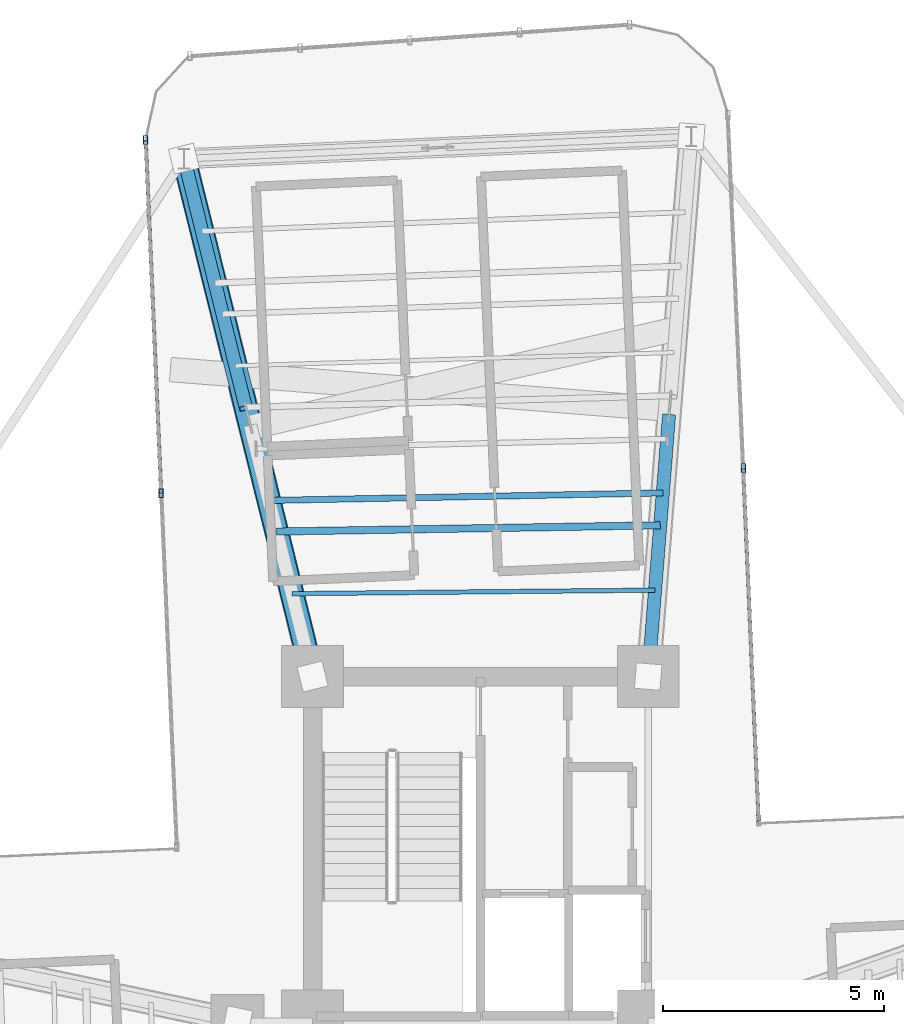
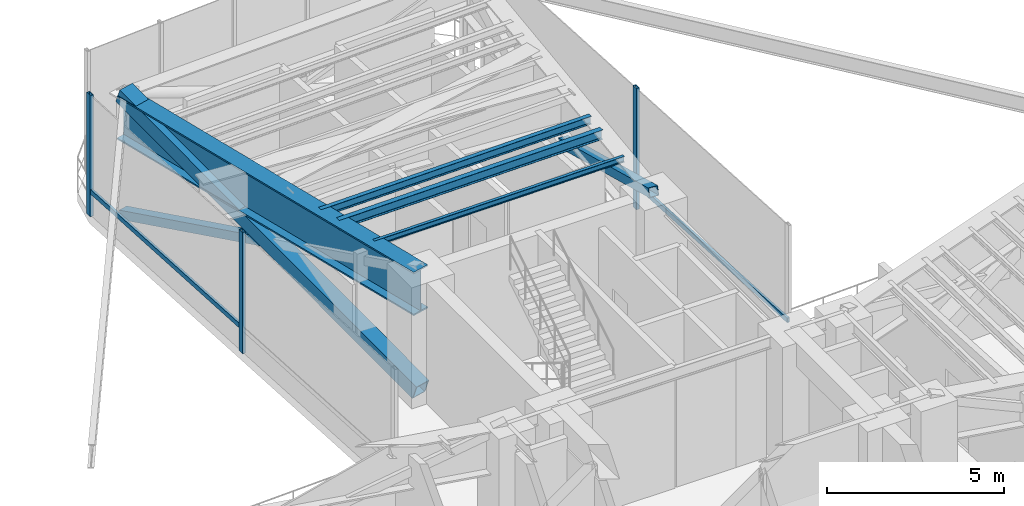
# One storey, part 9 of 18: 8 members, 4 beams, 2 elements without a shape of their own.
"""IFC4 building model written with IfcOpenShell, lengths in metres."""

import ifcopenshell
import ifcopenshell.guid

model = None  # the IFC model being written
_history = None  # IfcOwnerHistory: only IFC2X3 demands one
_inside = {}  # id of a spatial element -> (the spatial element, [elements in it])
_under = {}  # id of a project, library or spatial element -> (it, [spatial elements below it])
_declared = {}  # id of a project -> (the project, [libraries it declares])
_typed = {}  # id of a type object -> (the type object, [elements of that type])
_made_of = {}  # id of a material, layer set ... -> (it, [elements and type objects made of it])


def new_model(schema):
    """Start an empty IFC model of exactly this schema.

    Asked for "IFC4X3", IfcOpenShell would pick the latest addendum, in which some entities
    have other attributes; the version numbers below select the first issue.
    IFC2X3 requires an IfcOwnerHistory on every rooted entity: one is made here for all.
    """
    global model, _history
    if schema == "IFC4X3":
        model = ifcopenshell.file(schema_version=(4, 3, 0, 0))
    else:
        model = ifcopenshell.file(schema=schema)
    _inside.clear()
    _under.clear()
    _declared.clear()
    _typed.clear()
    _made_of.clear()
    _history = None
    if model.schema == "IFC2X3":
        org = make("IfcOrganization", Name="unknown")
        user = make(
            "IfcPersonAndOrganization",
            ThePerson=make("IfcPerson", FamilyName="unknown"),
            TheOrganization=org,
        )
        app = make(
            "IfcApplication",
            ApplicationDeveloper=org,
            Version="unknown",
            ApplicationFullName="unknown",
            ApplicationIdentifier="unknown",
        )
        _history = make(
            "IfcOwnerHistory",
            OwningUser=user,
            OwningApplication=app,
            ChangeAction="ADDED",
            CreationDate=0,
        )
    return model


def make(cls, **values):
    """One entity of the class cls with the attributes given. An attribute that is None is left unset."""
    return model.create_entity(
        cls, **{name: value for name, value in values.items() if value is not None}
    )


def rooted(cls, **values):
    """An entity with a GlobalId (a new one), such as an element, a storey or a relation."""
    return make(cls, GlobalId=ifcopenshell.guid.new(), OwnerHistory=_history, **values)


def si_unit(unit_type, name, prefix=None):
    """IfcSIUnit, for example si_unit("LENGTHUNIT", "METRE", prefix="MILLI")."""
    return make("IfcSIUnit", UnitType=unit_type, Prefix=prefix, Name=name)


def assignment(units):
    """IfcUnitAssignment: the units of a project."""
    return None if units is None else make("IfcUnitAssignment", Units=units)


def point(xyz):
    """IfcCartesianPoint."""
    return None if xyz is None else make("IfcCartesianPoint", Coordinates=xyz)


def direction(xyz):
    """IfcDirection."""
    return None if xyz is None else make("IfcDirection", DirectionRatios=xyz)


def frame(location, z_axis=None, x_axis=None):
    """IfcAxis2Placement3D, a coordinate frame: its origin and axes. An axis left out is left unset."""
    return make(
        "IfcAxis2Placement3D",
        Location=point(location),
        Axis=direction(z_axis),
        RefDirection=direction(x_axis),
    )


def frame_2d(location, x_axis=None):
    """IfcAxis2Placement2D, a coordinate frame in the plane: its origin and x axis."""
    return make(
        "IfcAxis2Placement2D", Location=point(location), RefDirection=direction(x_axis)
    )


def origin():
    """The frame at (0, 0, 0) with its axes left unset."""
    return frame((0.0, 0.0, 0.0))


def origin_2d():
    """The frame at (0, 0) in the plane with its x axis left unset."""
    return frame_2d((0.0, 0.0))


def place(relative_to, where):
    """IfcLocalPlacement: puts the frame where relative to a parent placement (None: the world)."""
    return make(
        "IfcLocalPlacement", PlacementRelTo=relative_to, RelativePlacement=where
    )


def context(
    kind, dimensions, precision=None, world=None, true_north=None, identifier=None
):
    """IfcGeometricRepresentationContext, for example the 3D "Model" context."""
    return make(
        "IfcGeometricRepresentationContext",
        ContextIdentifier=identifier,
        ContextType=kind,
        CoordinateSpaceDimension=dimensions,
        Precision=precision,
        WorldCoordinateSystem=world,
        TrueNorth=true_north,
    )


def subcontext(parent, identifier, kind, view, scale=None):
    """IfcGeometricRepresentationSubContext, for example "Body" below "Model"."""
    return make(
        "IfcGeometricRepresentationSubContext",
        ContextIdentifier=identifier,
        ContextType=kind,
        ParentContext=parent,
        TargetScale=scale,
        TargetView=view,
    )


def project(units=None, contexts=None):
    """IfcProject with its units and contexts."""
    return rooted(
        "IfcProject",
        Name="project",
        RepresentationContexts=contexts,
        UnitsInContext=assignment(units),
    )


def spatial(cls, under=None, at=None, **own):
    """A site, building, storey or space (cls), placed at a placement, below another one or the project."""
    s = rooted(cls, ObjectPlacement=at, **own)
    if under is not None:
        _under.setdefault(under.id(), (under, []))[1].append(s)
    return s


def profile(cls, at=None, kind="AREA", **sizes):
    """A parametric profile (cls). Its sizes go by their IFC names, for example OverallWidth=200.0."""
    return make(cls, ProfileType=kind, Position=at, **sizes)


def hollow_rectangle(**sizes):
    """IfcRectangleHollowProfileDef."""
    return profile("IfcRectangleHollowProfileDef", **sizes)


def i_section(**sizes):
    """IfcIShapeProfileDef."""
    return profile("IfcIShapeProfileDef", **sizes)


def extrude(swept, where, along, depth):
    """IfcExtrudedAreaSolid: the profile swept, set in the frame where, extruded along a direction by depth."""
    return make(
        "IfcExtrudedAreaSolid",
        SweptArea=swept,
        Position=where,
        ExtrudedDirection=direction(along),
        Depth=depth,
    )


def shape(context_of_items, identifier, shape_type, items):
    """IfcShapeRepresentation: the items that make up one representation, for example the "Body"."""
    return make(
        "IfcShapeRepresentation",
        ContextOfItems=context_of_items,
        RepresentationIdentifier=identifier,
        RepresentationType=shape_type,
        Items=items,
    )


def source(mapping_origin, context_of_items, identifier, shape_type, items):
    """IfcRepresentationMap: a shape defined once, which mapped items show again and again."""
    return make(
        "IfcRepresentationMap",
        MappingOrigin=mapping_origin,
        MappedRepresentation=shape(context_of_items, identifier, shape_type, items),
    )


def transform(
    local_origin,
    x_axis=None,
    y_axis=None,
    z_axis=None,
    scale=None,
    scale2=None,
    scale3=None,
    uniform=True,
):
    """IfcCartesianTransformationOperator3D, or its non-uniform kind. x_axis, y_axis, z_axis: its Axis1, 2, 3."""
    if uniform:
        return make(
            "IfcCartesianTransformationOperator3D",
            Axis1=direction(x_axis),
            Axis2=direction(y_axis),
            LocalOrigin=point(local_origin),
            Scale=scale,
            Axis3=direction(z_axis),
        )
    return make(
        "IfcCartesianTransformationOperator3DnonUniform",
        Axis1=direction(x_axis),
        Axis2=direction(y_axis),
        LocalOrigin=point(local_origin),
        Scale=scale,
        Axis3=direction(z_axis),
        Scale2=scale2,
        Scale3=scale3,
    )


def mapped(mapping_source, mapping_target):
    """IfcMappedItem: shows the shape of a source again, moved by a transform."""
    return make(
        "IfcMappedItem", MappingSource=mapping_source, MappingTarget=mapping_target
    )


def material(Name=None, Category=None):
    """IfcMaterial."""
    return make("IfcMaterial", Name=Name, Category=Category)


def material_profile(
    of_material, cross_section, Name=None, Category=None, Priority=None
):
    """IfcMaterialProfile: a cross section and its material."""
    return make(
        "IfcMaterialProfile",
        Name=Name,
        Material=of_material,
        Profile=cross_section,
        Priority=Priority,
        Category=Category,
    )


def profile_set(profiles, Name=None, composite=None):
    """IfcMaterialProfileSet."""
    return make(
        "IfcMaterialProfileSet",
        Name=Name,
        MaterialProfiles=profiles,
        CompositeProfile=composite,
    )


def made_of(thing, what):
    """Note that an element or type object is made of a material, layer set ...; save() writes the relation."""
    if what is not None:
        _made_of.setdefault(what.id(), (what, []))[1].append(thing)
    return thing


def type_object(cls, material=None, **own):
    """A type object (cls), such as IfcWallType, which elements share."""
    return made_of(rooted(cls, **own), material)


def element(
    cls,
    number,
    at=None,
    inside=None,
    cuts=None,
    type_object=None,
    material=None,
    context=None,
    identifier="Body",
    shape_type=None,
    held_by="IfcProductDefinitionShape",
    body=None,
    shapes=None,
    **own,
):
    """One element of the class cls, such as IfcWall. Its Tag is "e" and its number.

    at: its placement. inside: the storey or other place that contains it. cuts: it is an
    opening in that element (IfcRelVoidsElement). A single representation is given by context,
    identifier, shape_type and body (its items); several are given by shapes. held_by: the class
    of the entity that holds the representations. save() writes the other relations.
    """
    e = rooted(cls, Tag="e%d" % number, ObjectPlacement=at, **own)
    if body is not None:
        shapes = [shape(context, identifier, shape_type, body)]
    if shapes is not None:
        e.Representation = make(held_by, Representations=shapes)
    if inside is not None:
        _inside.setdefault(inside.id(), (inside, []))[1].append(e)
    if cuts is not None:
        rooted(
            "IfcRelVoidsElement", RelatingBuildingElement=cuts, RelatedOpeningElement=e
        )
    if type_object is not None:
        _typed.setdefault(type_object.id(), (type_object, []))[1].append(e)
    return made_of(e, material)


def aggregate(whole, parts):
    """IfcRelAggregates: a whole, such as a stair, and the parts it consists of."""
    return rooted("IfcRelAggregates", RelatingObject=whole, RelatedObjects=parts)


def save(model, path):
    """Write the relations noted so far, then the file.

    IfcRelAggregates (storeys below a building ...), IfcRelContainedInSpatialStructure (elements
    in a storey), IfcRelDefinesByType, IfcRelAssociatesMaterial and IfcRelDeclares: one each for
    every whole, place, type object, material and project.
    """
    for whole, parts in _under.values():
        aggregate(whole, parts)
    for where, things in _inside.values():
        rooted(
            "IfcRelContainedInSpatialStructure",
            RelatedElements=things,
            RelatingStructure=where,
        )
    for kind, things in _typed.values():
        rooted("IfcRelDefinesByType", RelatedObjects=things, RelatingType=kind)
    for what, things in _made_of.values():
        rooted("IfcRelAssociatesMaterial", RelatedObjects=things, RelatingMaterial=what)
    for by, libraries in _declared.values():
        rooted("IfcRelDeclares", RelatingContext=by, RelatedDefinitions=libraries)
    model.write(path)


model = new_model("IFC4")

# Units and contexts
model_context = context("Model", 3, precision=1e-05, world=origin(), true_north=direction((0.0, 1.0)))
body_context = subcontext(model_context, "Body", "Model", "MODEL_VIEW")
ifc_project = project(units=[si_unit("LENGTHUNIT", "METRE"), si_unit("AREAUNIT", "SQUARE_METRE"), si_unit("VOLUMEUNIT", "CUBIC_METRE"), si_unit("PLANEANGLEUNIT", "RADIAN"), si_unit("MASSUNIT", "GRAM", prefix="KILO")], contexts=[model_context])

# Site, building, storey
site_placement = place(None, origin())
site = spatial("IfcSite", under=ifc_project, at=site_placement, CompositionType="ELEMENT")
building_placement = place(site_placement, origin())
building = spatial("IfcBuilding", under=site, at=building_placement, Name="Sahyath Konkavel Grand Hotel", CompositionType="ELEMENT")
storey_placement = place(building_placement, frame((0.0, 0.0, 138.25)))
storey = spatial("IfcBuildingStorey", under=building, at=storey_placement, Name="L38", CompositionType="ELEMENT", Elevation=138.25)

# Beams
ifc_material_1 = material(Name="Steel E350", Category="steel")
ifc_material_profile_1 = material_profile(ifc_material_1, i_section(OverallWidth=0.1650390625, OverallDepth=0.324951171875, WebThickness=0.007080078125, FlangeThickness=0.009765625, FilletRadius=0.014892578125, at=origin_2d()), Name="ISLB 325")
ifc_profile_set_1 = profile_set([ifc_material_profile_1], Name="Steel E350")
beam_type_1 = type_object("IfcBeamType", Name="BM-ISLB325", PredefinedType="BEAM", material=ifc_profile_set_1)
shared_shape_1 = source(origin(), body_context, "Body", "SweptSolid", [
    extrude(i_section(OverallWidth=0.1650390625, OverallDepth=0.324951171875, WebThickness=0.007080078125, FlangeThickness=0.009765625, FilletRadius=0.014892578125, at=origin_2d()), origin(), (0.0, 0.0, 1.0), 8.68994140625),
])
beam_1_placement = place(storey_placement, frame((4.0732421875, 13.624267578125, 4.017578125), z_axis=(-0.999869506431, -0.016154569283, 0.0), x_axis=(0.016154569283, -0.999869506431, 0.0)))
element("IfcBeam", 1, at=beam_1_placement, inside=storey, type_object=beam_type_1, Name="L38 Secondary Floor Beam N-1", PredefinedType="BEAM", context=body_context, shape_type="MappedRepresentation", body=[
    mapped(shared_shape_1, transform((0.0, 0.0, 0.0), scale=1.0)),
])
ifc_material_2 = material(Name="Steel E450", Category="steel")
ifc_material_profile_2 = material_profile(ifc_material_2, i_section(OverallWidth=0.550048828125, OverallDepth=1.5, WebThickness=0.028076171875, FlangeThickness=0.050048828125, at=origin_2d()), Name="BPG 1500x550")
ifc_profile_set_2 = profile_set([ifc_material_profile_2], Name="Steel E450")
beam_type_2 = type_object("IfcBeamType", Name="BM-BPG1500", PredefinedType="BEAM", material=ifc_profile_set_2)
shared_shape_2 = source(origin(), body_context, "Body", "SweptSolid", [
    extrude(i_section(OverallWidth=0.550048828125, OverallDepth=1.5, WebThickness=0.028076171875, FlangeThickness=0.050048828125, at=origin_2d()), origin(), (0.0, 0.0, 1.0), 12.084228515625),
])
beam_2_placement = place(storey_placement, frame((-3.800048828125, 10.199951171875, 3.429931640625), z_axis=(-0.241042688481, 0.970514514229, 0.0), x_axis=(-0.970514514229, -0.241042688481, 0.0)))
element("IfcBeam", 2, at=beam_2_placement, inside=storey, type_object=beam_type_2, Name="L38 Setback Transfer Girder NB", PredefinedType="BEAM", context=body_context, shape_type="MappedRepresentation", body=[
    mapped(shared_shape_2, transform((0.0, 0.0, 0.0), scale=1.0)),
])

# Members
ifc_material_profile_3 = material_profile(ifc_material_2, hollow_rectangle(XDim=0.300048828125, YDim=0.300048828125, WallThickness=0.01611328125, at=origin_2d()), Name="SHS 300x300x16")
ifc_profile_set_3 = profile_set([ifc_material_profile_3], Name="Steel E450")
member_type_1 = type_object("IfcMemberType", Name="BR-SHS300", PredefinedType="BRACE", material=ifc_profile_set_3)
shared_shape_3 = source(origin(), body_context, "Body", "SweptSolid", [
    extrude(hollow_rectangle(XDim=0.300048828125, YDim=0.300048828125, WallThickness=0.01611328125, at=origin_2d()), origin(), (0.0, 0.0, 1.0), 6.237548828125),
])
member_1_placement = place(storey_placement, frame((4.27001953125, 16.08837890625, 2.1669921875), z_axis=(-0.075346222641, -0.944039243568, 0.321111901581), x_axis=(0.99683011102, -0.079559598811, 0.0)))
element("IfcMember", 3, at=member_1_placement, inside=storey, type_object=member_type_1, Name="L38 Core Outrigger Truss NA Split Upper Diagonal 2B", PredefinedType="BRACE", context=body_context, shape_type="MappedRepresentation", body=[
    mapped(shared_shape_3, transform((0.0, 0.0, 0.0), scale=1.0)),
])
ifc_material_profile_4 = material_profile(ifc_material_2, hollow_rectangle(XDim=0.5, YDim=0.5, WallThickness=0.02490234375, at=origin_2d()), Name="BOX 500x500x25")
ifc_profile_set_4 = profile_set([ifc_material_profile_4], Name="Steel E450")
member_type_2 = type_object("IfcMemberType", Name="BR-BOX500", PredefinedType="BRACE", material=ifc_profile_set_4)
shared_shape_4 = source(origin(), body_context, "Body", "SweptSolid", [
    extrude(hollow_rectangle(XDim=0.5, YDim=0.5, WallThickness=0.02490234375, at=origin_2d()), origin(), (0.0, 0.0, 1.0), 12.7802734375),
])
member_2_placement = place(storey_placement, frame((-3.800048828125, 10.199951171875, 0.010009765625), z_axis=(-0.227916491991, 0.917664273092, 0.325494016179), x_axis=(-0.970514514229, -0.241042688481, 0.0)))
element("IfcMember", 4, at=member_2_placement, inside=storey, type_object=member_type_2, Name="L38 Core Outrigger Truss NB Continuous Diagonal 1", PredefinedType="BRACE", context=body_context, shape_type="MappedRepresentation", body=[
    mapped(shared_shape_4, transform((0.0, 0.0, 0.0), scale=1.0)),
])
shared_shape_5 = source(origin(), body_context, "Body", "SweptSolid", [
    extrude(hollow_rectangle(XDim=0.300048828125, YDim=0.300048828125, WallThickness=0.01611328125, at=origin_2d()), origin(), (0.0, 0.0, 1.0), 6.150146484375),
])
member_3_placement = place(storey_placement, frame((-6.712890625, 21.927978515625, 0.010009765625), z_axis=(0.227897364366, -0.917663015513, 0.325510954155), x_axis=(0.970519169134, 0.241023945581, 0.0)))
element("IfcMember", 5, at=member_3_placement, inside=storey, type_object=member_type_1, Name="L38 Core Outrigger Truss NB Split Lower Diagonal 2A", PredefinedType="BRACE", context=body_context, shape_type="MappedRepresentation", body=[
    mapped(shared_shape_5, transform((0.0, 0.0, 0.0), scale=1.0)),
])

# Beams
ifc_material_profile_5 = material_profile(ifc_material_1, i_section(OverallWidth=0.10009765625, OverallDepth=0.199951171875, WebThickness=0.005615234375, FlangeThickness=0.0107421875, FilletRadius=0.010986328125, at=origin_2d()), Name="ISMB 200")
ifc_profile_set_5 = profile_set([ifc_material_profile_5], Name="Steel E350")
beam_type_3 = type_object("IfcBeamType", Name="BM-ISMB200", PredefinedType="BEAM", material=ifc_profile_set_5)
shared_shape_6 = source(origin(), body_context, "Body", "SweptSolid", [
    extrude(i_section(OverallWidth=0.10009765625, OverallDepth=0.199951171875, WebThickness=0.005615234375, FlangeThickness=0.0107421875, FilletRadius=0.010986328125, at=origin_2d()), origin(), (0.0, 0.0, 1.0), 8.222900390625),
])
beam_3_placement = place(storey_placement, frame((3.956298828125, 12.15673828125, 4.080078125), z_axis=(-0.999952289679, -0.009768232528, 0.0), x_axis=(0.009768232528, -0.999952289679, 0.0)))
element("IfcBeam", 6, at=beam_3_placement, inside=storey, type_object=beam_type_3, Name="L38 Composite Deck Sub-Beam N-1", PredefinedType="BEAM", context=body_context, shape_type="MappedRepresentation", body=[
    mapped(shared_shape_6, transform((0.0, 0.0, 0.0), scale=1.0)),
])
ifc_material_profile_6 = material_profile(ifc_material_1, i_section(OverallWidth=0.139892578125, OverallDepth=0.27490234375, WebThickness=0.00634765625, FlangeThickness=0.0087890625, FilletRadius=0.012939453125, at=origin_2d()), Name="ISLB 275")
ifc_profile_set_6 = profile_set([ifc_material_profile_6], Name="Steel E350")
beam_type_4 = type_object("IfcBeamType", Name="BM-ISLB275", PredefinedType="BEAM", material=ifc_profile_set_6)
shared_shape_7 = source(origin(), body_context, "Body", "SweptSolid", [
    extrude(i_section(OverallWidth=0.139892578125, OverallDepth=0.27490234375, WebThickness=0.00634765625, FlangeThickness=0.0087890625, FilletRadius=0.012939453125, at=origin_2d()), origin(), (0.0, 0.0, 1.0), 8.923828125),
])
beam_4_placement = place(storey_placement, frame((4.1318359375, 14.358154296875, 4.04248046875), z_axis=(-0.99981712713, -0.019123605743, 0.0), x_axis=(0.019123605743, -0.99981712713, 0.0)))
element("IfcBeam", 7, at=beam_4_placement, inside=storey, type_object=beam_type_4, Name="L38 Composite Deck Sub-Beam N-2", PredefinedType="BEAM", context=body_context, shape_type="MappedRepresentation", body=[
    mapped(shared_shape_7, transform((0.0, 0.0, 0.0), scale=1.0)),
])

# Curtain wall, member
ifc_material_3 = material(Name="Anodised Bronze Aluminium & Low-E Glazing", Category="aluminium")
curtain_wall_type = type_object("IfcCurtainWallType", Name="CW-SKYLOBBY", PredefinedType="NOTDEFINED", material=ifc_material_3)
curtain_wall_1_placement = place(storey_placement, origin())
curtain_wall_1 = element("IfcCurtainWall", 8, at=curtain_wall_1_placement, inside=storey, type_object=curtain_wall_type, Name="L38 Unitised Curtain Wall RF8", PredefinedType="NOTDEFINED")
ifc_material_4 = material(Name="Anodised Bronze Aluminium", Category="aluminium")
ifc_material_profile_7 = material_profile(ifc_material_4, hollow_rectangle(XDim=0.10009765625, YDim=0.199951171875, WallThickness=0.008056640625, at=origin_2d()), Name="RHS 200x100x8")
ifc_profile_set_7 = profile_set([ifc_material_profile_7], Name="Anodised Bronze Aluminium")
member_type_3 = type_object("IfcMemberType", Name="CW-MUL-200", PredefinedType="MULLION", material=ifc_profile_set_7)
shared_shape_8 = source(origin(), body_context, "Body", "SweptSolid", [
    extrude(hollow_rectangle(XDim=0.10009765625, YDim=0.199951171875, WallThickness=0.008056640625, at=origin_2d()), origin(), (0.0, 0.0, 1.0), 4.179931640625),
])
member_4_placement = place(storey_placement, frame((5.95458984375, 14.924072265625, 0.0), z_axis=(0.0, 0.0, 1.0), x_axis=(1.0, 0.0, 0.0)))
member_4 = element("IfcMember", 9, at=member_4_placement, type_object=member_type_3, Name="L38 Curtain Wall Mullion RF8-1", PredefinedType="MULLION", context=body_context, shape_type="MappedRepresentation", body=[
    mapped(shared_shape_8, transform((0.0, 0.0, 0.0), scale=1.0)),
])

# Curtain wall, members
curtain_wall_2_placement = place(storey_placement, origin())
curtain_wall_2 = element("IfcCurtainWall", 10, at=curtain_wall_2_placement, inside=storey, type_object=curtain_wall_type, Name="L38 Unitised Curtain Wall RF15", PredefinedType="NOTDEFINED")
member_5_placement = place(storey_placement, frame((-7.582275390625, 22.3505859375, 0.0), z_axis=(0.0, 0.0, 1.0), x_axis=(1.0, 0.0, 0.0)))
member_5 = element("IfcMember", 11, at=member_5_placement, type_object=member_type_3, Name="L38 Curtain Wall Mullion RF15-0", PredefinedType="MULLION", context=body_context, shape_type="MappedRepresentation", body=[
    mapped(shared_shape_8, transform((0.0, 0.0, 0.0), scale=1.0)),
])
member_6_placement = place(storey_placement, frame((-7.232666015625, 14.34814453125, 0.0), z_axis=(0.0, 0.0, 1.0), x_axis=(1.0, 0.0, 0.0)))
member_6 = element("IfcMember", 12, at=member_6_placement, type_object=member_type_3, Name="L38 Curtain Wall Mullion RF15-1", PredefinedType="MULLION", context=body_context, shape_type="MappedRepresentation", body=[
    mapped(shared_shape_8, transform((0.0, 0.0, 0.0), scale=1.0)),
])

# Member
ifc_material_profile_8 = material_profile(ifc_material_4, hollow_rectangle(XDim=0.080078125, YDim=0.159912109375, WallThickness=0.006103515625, at=origin_2d()), Name="RHS 160x80x6")
ifc_profile_set_8 = profile_set([ifc_material_profile_8], Name="Anodised Bronze Aluminium")
member_type_4 = type_object("IfcMemberType", Name="CW-TRN-160", PredefinedType="USERDEFINED", material=ifc_profile_set_8)
shared_shape_9 = source(origin(), body_context, "Body", "SweptSolid", [
    extrude(hollow_rectangle(XDim=0.080078125, YDim=0.159912109375, WallThickness=0.006103515625, at=origin_2d()), origin(), (0.0, 0.0, 1.0), 8.010009765625),
])
member_7_placement = place(storey_placement, frame((6.30419921875, 6.921630859375, 0.85009765625), z_axis=(-0.043646207089, 0.999047050247, 0.0), x_axis=(-0.999047050247, -0.043646207089, 0.0)))
member_7 = element("IfcMember", 13, at=member_7_placement, type_object=member_type_4, Name="L38 Curtain Wall Transom RF8-0-spandrel", ObjectType="TRANSOM", PredefinedType="USERDEFINED", context=body_context, shape_type="MappedRepresentation", body=[
    mapped(shared_shape_9, transform((0.0, 0.0, 0.0), scale=1.0)),
])

aggregate(curtain_wall_1, [member_4, member_7])

member_8_placement = place(storey_placement, frame((-7.582275390625, 22.3505859375, 0.85009765625), z_axis=(0.043646207089, -0.999047050247, 0.0), x_axis=(0.999047050247, 0.043646207089, 0.0)))
member_8 = element("IfcMember", 14, at=member_8_placement, type_object=member_type_4, Name="L38 Curtain Wall Transom RF15-0-spandrel", ObjectType="TRANSOM", PredefinedType="USERDEFINED", context=body_context, shape_type="MappedRepresentation", body=[
    mapped(shared_shape_9, transform((0.0, 0.0, 0.0), scale=1.0)),
])

aggregate(curtain_wall_2, [member_5, member_6, member_8])

save(model, "model.ifc")
